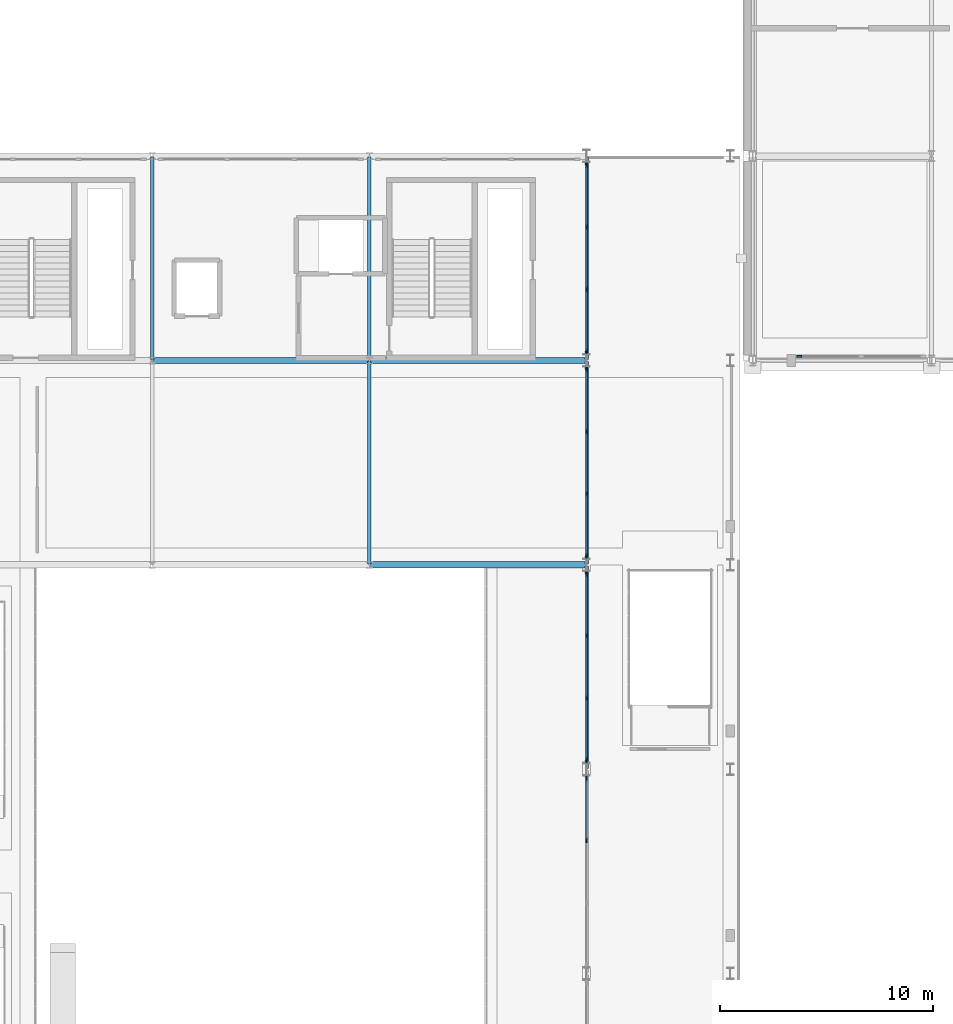
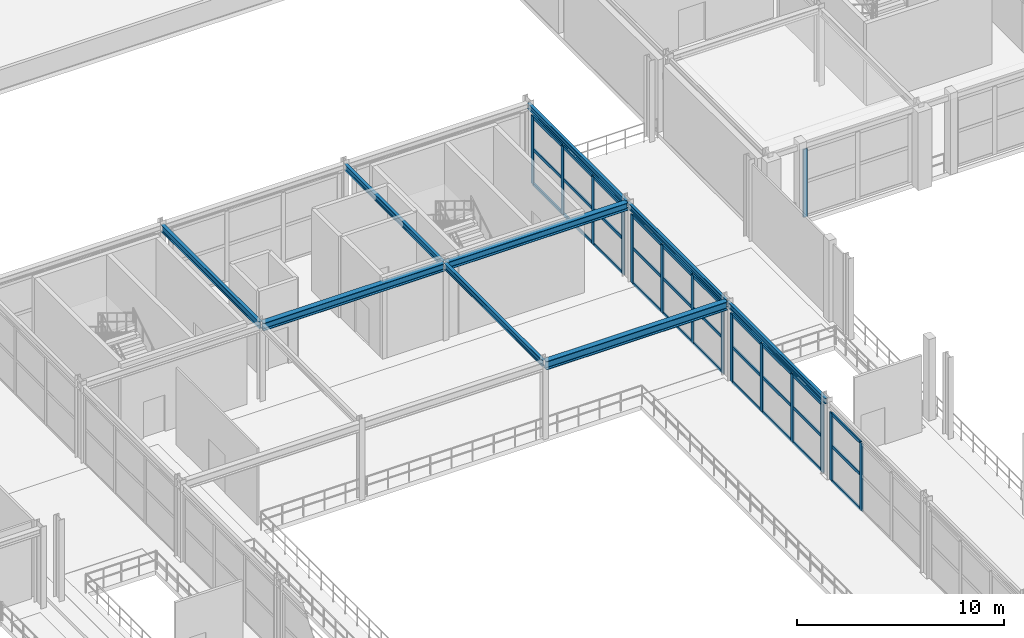
# One storey, part 49 of 125: 45 members, 9 beams, 5 elements without a shape of their own.
"""IFC4 building model written with IfcOpenShell, lengths in metres."""

from ifc_helpers import new_model, si_unit, direction, frame, origin, origin_2d, place, context, subcontext, project, spatial, rectangle, i_section, extrude, material, layer, layer_set, material_profile, profile_set, type_object, element, aggregate, save


model = new_model("IFC4")

# Units and contexts
model_context = context("Model", 3, precision=1e-05, world=origin(), true_north=direction((0.0, 1.0)))
body_context = subcontext(model_context, "Body", "Model", "MODEL_VIEW")
ifc_project = project(units=[si_unit("LENGTHUNIT", "METRE"), si_unit("AREAUNIT", "SQUARE_METRE"), si_unit("VOLUMEUNIT", "CUBIC_METRE"), si_unit("PLANEANGLEUNIT", "RADIAN"), si_unit("MASSUNIT", "GRAM", prefix="KILO")], contexts=[model_context])

# Site, building, storey
site_placement = place(None, origin())
site = spatial("IfcSite", under=ifc_project, at=site_placement, CompositionType="ELEMENT")
building_placement = place(site_placement, origin())
building = spatial("IfcBuilding", under=site, at=building_placement, Name="Myrtia Square Station", CompositionType="ELEMENT")
storey_placement = place(building_placement, frame((0.0, 0.0, 6.0)))
storey = spatial("IfcBuildingStorey", under=building, at=storey_placement, Name="L01", CompositionType="ELEMENT", Elevation=6.0)

# Beams
ifc_material_1 = material(Name="Steel S355", Category="steel")
ifc_material_profile_1 = material_profile(ifc_material_1, i_section(OverallWidth=0.300048828125, OverallDepth=0.449951171875, WebThickness=0.013916015625, FlangeThickness=0.02587890625, FilletRadius=0.027099609375, at=origin_2d()), Name="HEB 450")
ifc_profile_set_1 = profile_set([ifc_material_profile_1], Name="Steel S355")
beam_type_1 = type_object("IfcBeamType", Name="BM-HEB450", PredefinedType="BEAM", material=ifc_profile_set_1)
for number, where, z_axis, x_axis, name in (
    (1, (89.449951171875, 86.39990234375, 4.324951171875), (1.0, 0.0, 0.0), (0.0, 1.0, 0.0), "Structural girder BMX-L01-0547"),
    (2, (99.64990234375, 86.39990234375, 4.324951171875), (1.0, 0.0, 0.0), (0.0, 1.0, 0.0), "Structural girder BMX-L01-0548"),
):
    element("IfcBeam", number, at=place(storey_placement, frame(where, z_axis=z_axis, x_axis=x_axis)), inside=storey, type_object=beam_type_1, Name=name, PredefinedType="BEAM", context=body_context, shape_type="SweptSolid", body=[
        extrude(i_section(OverallWidth=0.300048828125, OverallDepth=0.449951171875, WebThickness=0.013916015625, FlangeThickness=0.02587890625, FilletRadius=0.027099609375, at=origin_2d()), origin(), (0.0, 0.0, 1.0), 10.10009765625),
    ])
ifc_material_profile_2 = material_profile(ifc_material_1, i_section(OverallWidth=0.300048828125, OverallDepth=0.5, WebThickness=0.014404296875, FlangeThickness=0.028076171875, FilletRadius=0.027099609375, at=origin_2d()), Name="HEB 500")
ifc_profile_set_2 = profile_set([ifc_material_profile_2], Name="Steel S355")
beam_type_2 = type_object("IfcBeamType", Name="BM-HEB500", PredefinedType="BEAM", material=ifc_profile_set_2)
beam_1_placement = place(storey_placement, frame((99.64990234375, 76.800048828125, 4.300048828125), z_axis=(1.0, 0.0, 0.0), x_axis=(0.0, 1.0, 0.0)))
element("IfcBeam", 3, at=beam_1_placement, inside=storey, type_object=beam_type_2, Name="Structural girder BMX-L01-0545", PredefinedType="BEAM", context=body_context, shape_type="SweptSolid", body=[
    extrude(i_section(OverallWidth=0.300048828125, OverallDepth=0.5, WebThickness=0.014404296875, FlangeThickness=0.028076171875, FilletRadius=0.027099609375, at=origin_2d()), origin(), (0.0, 0.0, 1.0), 10.10009765625),
])
ifc_material_profile_3 = material_profile(ifc_material_1, i_section(OverallWidth=0.159912109375, OverallDepth=0.330078125, WebThickness=0.007568359375, FlangeThickness=0.011474609375, FilletRadius=0.01806640625, at=origin_2d()), Name="IPE 330")
ifc_profile_set_3 = profile_set([ifc_material_profile_3], Name="Steel S355")
beam_type_3 = type_object("IfcBeamType", Name="BM-IPE330", PredefinedType="BEAM", material=ifc_profile_set_3)
for number, where, z_axis, x_axis, name in (
    (4, (109.800048828125, 67.25, 4.385009765625), (0.0, 1.0, 0.0), (-1.0, 0.0, 0.0), "Structural girder BMY-L01-0571"),
    (5, (109.800048828125, 76.85009765625, 4.385009765625), (0.0, 1.0, 0.0), (-1.0, 0.0, 0.0), "Structural girder BMY-L01-0572"),
    (6, (109.800048828125, 86.449951171875, 4.385009765625), (0.0, 1.0, 0.0), (-1.0, 0.0, 0.0), "Structural girder BMY-L01-0573"),
):
    element("IfcBeam", number, at=place(storey_placement, frame(where, z_axis=z_axis, x_axis=x_axis)), inside=storey, type_object=beam_type_3, Name=name, PredefinedType="BEAM", context=body_context, shape_type="SweptSolid", body=[
        extrude(i_section(OverallWidth=0.159912109375, OverallDepth=0.330078125, WebThickness=0.007568359375, FlangeThickness=0.011474609375, FilletRadius=0.01806640625, at=origin_2d()), origin(), (0.0, 0.0, 1.0), 9.5),
    ])
ifc_material_profile_4 = material_profile(ifc_material_1, i_section(OverallWidth=0.169921875, OverallDepth=0.360107421875, WebThickness=0.008056640625, FlangeThickness=0.0126953125, FilletRadius=0.01806640625, at=origin_2d()), Name="IPE 360")
ifc_profile_set_4 = profile_set([ifc_material_profile_4], Name="Steel S355")
beam_type_4 = type_object("IfcBeamType", Name="BM-IPE360", PredefinedType="BEAM", material=ifc_profile_set_4)
for number, where, z_axis, x_axis, name in (
    (7, (99.60009765625, 76.85009765625, 4.3701171875), (0.0, 1.0, 0.0), (-1.0, 0.0, 0.0), "Structural girder BMY-L01-0565"),
    (8, (99.60009765625, 86.449951171875, 4.3701171875), (0.0, 1.0, 0.0), (-1.0, 0.0, 0.0), "Structural girder BMY-L01-0566"),
):
    element("IfcBeam", number, at=place(storey_placement, frame(where, z_axis=z_axis, x_axis=x_axis)), inside=storey, type_object=beam_type_4, Name=name, PredefinedType="BEAM", context=body_context, shape_type="SweptSolid", body=[
        extrude(i_section(OverallWidth=0.169921875, OverallDepth=0.360107421875, WebThickness=0.008056640625, FlangeThickness=0.0126953125, FilletRadius=0.01806640625, at=origin_2d()), origin(), (0.0, 0.0, 1.0), 9.5),
    ])
ifc_material_profile_5 = material_profile(ifc_material_1, i_section(OverallWidth=0.179931640625, OverallDepth=0.39990234375, WebThickness=0.008544921875, FlangeThickness=0.013427734375, FilletRadius=0.02099609375, at=origin_2d()), Name="IPE 400")
ifc_profile_set_5 = profile_set([ifc_material_profile_5], Name="Steel S355")
beam_type_5 = type_object("IfcBeamType", Name="BM-IPE400", PredefinedType="BEAM", material=ifc_profile_set_5)
beam_2_placement = place(storey_placement, frame((89.39990234375, 86.449951171875, 4.35009765625), z_axis=(0.0, 1.0, 0.0), x_axis=(-1.0, 0.0, 0.0)))
element("IfcBeam", 9, at=beam_2_placement, inside=storey, type_object=beam_type_5, Name="Structural girder BMY-L01-0562", PredefinedType="BEAM", context=body_context, shape_type="SweptSolid", body=[
    extrude(i_section(OverallWidth=0.179931640625, OverallDepth=0.39990234375, WebThickness=0.008544921875, FlangeThickness=0.013427734375, FilletRadius=0.02099609375, at=origin_2d()), origin(), (0.0, 0.0, 1.0), 9.5),
])

# Curtain wall, members
ifc_material_2 = material(Name="Dark bronze anodised aluminium", Category="aluminium")
ifc_layer_1 = layer(ifc_material_2, 0.159912109375, Name="Dark bronze anodised aluminium")
ifc_layer_set_1 = layer_set([ifc_layer_1], Name="Dark bronze anodised aluminium")
curtain_wall_type_1 = type_object("IfcCurtainWallType", Name="CW-TYPE-04-880x400", PredefinedType="USERDEFINED", material=ifc_layer_set_1)
curtain_wall_1_placement = place(storey_placement, origin())
curtain_wall_1 = element("IfcCurtainWall", 10, at=curtain_wall_1_placement, inside=storey, type_object=curtain_wall_type_1, Name="Concourse curtain wall CW-L01-012", ObjectType="CONCOURSE CURTAIN WALL", PredefinedType="USERDEFINED")
ifc_material_profile_6 = material_profile(ifc_material_2, rectangle(XDim=0.074951171875, YDim=0.239990234375, at=origin_2d()), Name="ALU-M 75x240")
ifc_profile_set_6 = profile_set([ifc_material_profile_6], Name="Dark bronze anodised aluminium")
member_type_1 = type_object("IfcMemberType", Name="CWM-75x240", PredefinedType="MULLION", material=ifc_profile_set_6)
member_1_placement = place(storey_placement, frame((109.800048828125, 63.86669921875, 0.0), z_axis=(0.0, 0.0, 1.0), x_axis=(-1.0, 0.0, 0.0)))
member_1 = element("IfcMember", 11, at=member_1_placement, type_object=member_type_1, Name="CW-012 mullion 3", PredefinedType="MULLION", context=body_context, shape_type="SweptSolid", body=[
    extrude(rectangle(XDim=0.074951171875, YDim=0.239990234375, at=origin_2d()), origin(), (0.0, 0.0, 1.0), 4.0),
])
member_2_placement = place(storey_placement, frame((109.800048828125, 66.762451171875, 0.0), z_axis=(0.0, 0.0, 1.0), x_axis=(-1.0, 0.0, 0.0)))
member_2 = element("IfcMember", 12, at=member_2_placement, type_object=member_type_1, Name="CW-012 mullion 4", PredefinedType="MULLION", context=body_context, shape_type="SweptSolid", body=[
    extrude(rectangle(XDim=0.074951171875, YDim=0.239990234375, at=origin_2d()), origin(), (0.0, 0.0, 1.0), 4.0),
])

curtain_wall_2_placement = place(storey_placement, origin())
curtain_wall_2 = element("IfcCurtainWall", 13, at=curtain_wall_2_placement, inside=storey, type_object=curtain_wall_type_1, Name="Concourse curtain wall CW-L01-014", ObjectType="CONCOURSE CURTAIN WALL", PredefinedType="USERDEFINED")
member_3_placement = place(storey_placement, frame((109.800048828125, 67.637451171875, 0.0), z_axis=(0.0, 0.0, 1.0), x_axis=(-1.0, 0.0, 0.0)))
member_3 = element("IfcMember", 14, at=member_3_placement, type_object=member_type_1, Name="CW-014 mullion 1", PredefinedType="MULLION", context=body_context, shape_type="SweptSolid", body=[
    extrude(rectangle(XDim=0.074951171875, YDim=0.239990234375, at=origin_2d()), origin(), (0.0, 0.0, 1.0), 4.0),
])
member_4_placement = place(storey_placement, frame((109.800048828125, 70.533447265625, 0.0), z_axis=(0.0, 0.0, 1.0), x_axis=(-1.0, 0.0, 0.0)))
member_4 = element("IfcMember", 15, at=member_4_placement, type_object=member_type_1, Name="CW-014 mullion 2", PredefinedType="MULLION", context=body_context, shape_type="SweptSolid", body=[
    extrude(rectangle(XDim=0.074951171875, YDim=0.239990234375, at=origin_2d()), origin(), (0.0, 0.0, 1.0), 4.0),
])
member_5_placement = place(storey_placement, frame((109.800048828125, 73.466552734375, 0.0), z_axis=(0.0, 0.0, 1.0), x_axis=(-1.0, 0.0, 0.0)))
member_5 = element("IfcMember", 16, at=member_5_placement, type_object=member_type_1, Name="CW-014 mullion 3", PredefinedType="MULLION", context=body_context, shape_type="SweptSolid", body=[
    extrude(rectangle(XDim=0.074951171875, YDim=0.239990234375, at=origin_2d()), origin(), (0.0, 0.0, 1.0), 4.0),
])
member_6_placement = place(storey_placement, frame((109.800048828125, 76.362548828125, 0.0), z_axis=(0.0, 0.0, 1.0), x_axis=(-1.0, 0.0, 0.0)))
member_6 = element("IfcMember", 17, at=member_6_placement, type_object=member_type_1, Name="CW-014 mullion 4", PredefinedType="MULLION", context=body_context, shape_type="SweptSolid", body=[
    extrude(rectangle(XDim=0.074951171875, YDim=0.239990234375, at=origin_2d()), origin(), (0.0, 0.0, 1.0), 4.0),
])

curtain_wall_3_placement = place(storey_placement, origin())
curtain_wall_3 = element("IfcCurtainWall", 18, at=curtain_wall_3_placement, inside=storey, type_object=curtain_wall_type_1, Name="Concourse curtain wall CW-L01-016", ObjectType="CONCOURSE CURTAIN WALL", PredefinedType="USERDEFINED")
member_7_placement = place(storey_placement, frame((109.800048828125, 77.237548828125, 0.0), z_axis=(0.0, 0.0, 1.0), x_axis=(-1.0, 0.0, 0.0)))
member_7 = element("IfcMember", 19, at=member_7_placement, type_object=member_type_1, Name="CW-016 mullion 1", PredefinedType="MULLION", context=body_context, shape_type="SweptSolid", body=[
    extrude(rectangle(XDim=0.074951171875, YDim=0.239990234375, at=origin_2d()), origin(), (0.0, 0.0, 1.0), 4.0),
])
member_8_placement = place(storey_placement, frame((109.800048828125, 80.13330078125, 0.0), z_axis=(0.0, 0.0, 1.0), x_axis=(-1.0, 0.0, 0.0)))
member_8 = element("IfcMember", 20, at=member_8_placement, type_object=member_type_1, Name="CW-016 mullion 2", PredefinedType="MULLION", context=body_context, shape_type="SweptSolid", body=[
    extrude(rectangle(XDim=0.074951171875, YDim=0.239990234375, at=origin_2d()), origin(), (0.0, 0.0, 1.0), 4.0),
])
member_9_placement = place(storey_placement, frame((109.800048828125, 83.066650390625, 0.0), z_axis=(0.0, 0.0, 1.0), x_axis=(-1.0, 0.0, 0.0)))
member_9 = element("IfcMember", 21, at=member_9_placement, type_object=member_type_1, Name="CW-016 mullion 3", PredefinedType="MULLION", context=body_context, shape_type="SweptSolid", body=[
    extrude(rectangle(XDim=0.074951171875, YDim=0.239990234375, at=origin_2d()), origin(), (0.0, 0.0, 1.0), 4.0),
])
member_10_placement = place(storey_placement, frame((109.800048828125, 85.96240234375, 0.0), z_axis=(0.0, 0.0, 1.0), x_axis=(-1.0, 0.0, 0.0)))
member_10 = element("IfcMember", 22, at=member_10_placement, type_object=member_type_1, Name="CW-016 mullion 4", PredefinedType="MULLION", context=body_context, shape_type="SweptSolid", body=[
    extrude(rectangle(XDim=0.074951171875, YDim=0.239990234375, at=origin_2d()), origin(), (0.0, 0.0, 1.0), 4.0),
])

curtain_wall_4_placement = place(storey_placement, origin())
curtain_wall_4 = element("IfcCurtainWall", 23, at=curtain_wall_4_placement, inside=storey, type_object=curtain_wall_type_1, Name="Concourse curtain wall CW-L01-018", ObjectType="CONCOURSE CURTAIN WALL", PredefinedType="USERDEFINED")
member_11_placement = place(storey_placement, frame((109.800048828125, 86.83740234375, 0.0), z_axis=(0.0, 0.0, 1.0), x_axis=(-1.0, 0.0, 0.0)))
member_11 = element("IfcMember", 24, at=member_11_placement, type_object=member_type_1, Name="CW-018 mullion 1", PredefinedType="MULLION", context=body_context, shape_type="SweptSolid", body=[
    extrude(rectangle(XDim=0.074951171875, YDim=0.239990234375, at=origin_2d()), origin(), (0.0, 0.0, 1.0), 4.0),
])
member_12_placement = place(storey_placement, frame((109.800048828125, 89.7333984375, 0.0), z_axis=(0.0, 0.0, 1.0), x_axis=(-1.0, 0.0, 0.0)))
member_12 = element("IfcMember", 25, at=member_12_placement, type_object=member_type_1, Name="CW-018 mullion 2", PredefinedType="MULLION", context=body_context, shape_type="SweptSolid", body=[
    extrude(rectangle(XDim=0.074951171875, YDim=0.239990234375, at=origin_2d()), origin(), (0.0, 0.0, 1.0), 4.0),
])
member_13_placement = place(storey_placement, frame((109.800048828125, 92.666748046875, 0.0), z_axis=(0.0, 0.0, 1.0), x_axis=(-1.0, 0.0, 0.0)))
member_13 = element("IfcMember", 26, at=member_13_placement, type_object=member_type_1, Name="CW-018 mullion 3", PredefinedType="MULLION", context=body_context, shape_type="SweptSolid", body=[
    extrude(rectangle(XDim=0.074951171875, YDim=0.239990234375, at=origin_2d()), origin(), (0.0, 0.0, 1.0), 4.0),
])
member_14_placement = place(storey_placement, frame((109.800048828125, 95.5625, 0.0), z_axis=(0.0, 0.0, 1.0), x_axis=(-1.0, 0.0, 0.0)))
member_14 = element("IfcMember", 27, at=member_14_placement, type_object=member_type_1, Name="CW-018 mullion 4", PredefinedType="MULLION", context=body_context, shape_type="SweptSolid", body=[
    extrude(rectangle(XDim=0.074951171875, YDim=0.239990234375, at=origin_2d()), origin(), (0.0, 0.0, 1.0), 4.0),
])

# Curtain wall, member
ifc_layer_2 = layer(ifc_material_2, 0.159912109375, Name="Dark bronze anodised aluminium")
ifc_layer_set_2 = layer_set([ifc_layer_2], Name="Dark bronze anodised aluminium")
curtain_wall_type_2 = type_object("IfcCurtainWallType", Name="CW-TYPE-37-590x400", PredefinedType="USERDEFINED", material=ifc_layer_set_2)
curtain_wall_5_placement = place(storey_placement, origin())
curtain_wall_5 = element("IfcCurtainWall", 28, at=curtain_wall_5_placement, inside=storey, type_object=curtain_wall_type_2, Name="Concourse curtain wall CW-L01-116", ObjectType="CONCOURSE CURTAIN WALL", PredefinedType="USERDEFINED")
member_15_placement = place(storey_placement, frame((119.78759765625, 86.60009765625, 0.0), z_axis=(0.0, 0.0, 1.0), x_axis=(0.0, 1.0, 0.0)))
member_15 = element("IfcMember", 29, at=member_15_placement, type_object=member_type_1, Name="CW-116 mullion 1", PredefinedType="MULLION", context=body_context, shape_type="SweptSolid", body=[
    extrude(rectangle(XDim=0.074951171875, YDim=0.239990234375, at=origin_2d()), origin(), (0.0, 0.0, 1.0), 4.0),
])
aggregate(curtain_wall_5, [member_15])

# Member
ifc_material_profile_7 = material_profile(ifc_material_2, rectangle(XDim=0.074951171875, YDim=0.179931640625, at=origin_2d()), Name="ALU-T 75x180")
ifc_profile_set_7 = profile_set([ifc_material_profile_7], Name="Dark bronze anodised aluminium")
member_type_2 = type_object("IfcMemberType", Name="CWT-75x180", PredefinedType="USERDEFINED", material=ifc_profile_set_7)
member_16_placement = place(storey_placement, frame((109.800048828125, 63.904052734375, 0.03759765625), z_axis=(0.0, 1.0, 0.0), x_axis=(-1.0, 0.0, 0.0)))
member_16 = element("IfcMember", 30, at=member_16_placement, type_object=member_type_2, Name="CW-012 transom 3.1", ObjectType="TRANSOM", PredefinedType="USERDEFINED", context=body_context, shape_type="SweptSolid", body=[
    extrude(rectangle(XDim=0.074951171875, YDim=0.179931640625, at=origin_2d()), origin(), (0.0, 0.0, 1.0), 2.821044921875),
])

member_17_placement = place(storey_placement, frame((109.800048828125, 63.904052734375, 2.080078125), z_axis=(0.0, 1.0, 0.0), x_axis=(-1.0, 0.0, 0.0)))
member_17 = element("IfcMember", 31, at=member_17_placement, type_object=member_type_2, Name="CW-012 transom 3.2", ObjectType="TRANSOM", PredefinedType="USERDEFINED", context=body_context, shape_type="SweptSolid", body=[
    extrude(rectangle(XDim=0.074951171875, YDim=0.179931640625, at=origin_2d()), origin(), (0.0, 0.0, 1.0), 2.821044921875),
])

member_18_placement = place(storey_placement, frame((109.800048828125, 63.904052734375, 3.96240234375), z_axis=(0.0, 1.0, 0.0), x_axis=(-1.0, 0.0, 0.0)))
member_18 = element("IfcMember", 32, at=member_18_placement, type_object=member_type_2, Name="CW-012 transom 3.3", ObjectType="TRANSOM", PredefinedType="USERDEFINED", context=body_context, shape_type="SweptSolid", body=[
    extrude(rectangle(XDim=0.074951171875, YDim=0.179931640625, at=origin_2d()), origin(), (0.0, 0.0, 1.0), 2.821044921875),
])

aggregate(curtain_wall_1, [member_1, member_2, member_16, member_17, member_18])

member_19_placement = place(storey_placement, frame((109.800048828125, 67.675048828125, 0.03759765625), z_axis=(0.0, 1.0, 0.0), x_axis=(-1.0, 0.0, 0.0)))
member_19 = element("IfcMember", 33, at=member_19_placement, type_object=member_type_2, Name="CW-014 transom 1.1", ObjectType="TRANSOM", PredefinedType="USERDEFINED", context=body_context, shape_type="SweptSolid", body=[
    extrude(rectangle(XDim=0.074951171875, YDim=0.179931640625, at=origin_2d()), origin(), (0.0, 0.0, 1.0), 2.82080078125),
])

member_20_placement = place(storey_placement, frame((109.800048828125, 67.675048828125, 2.080078125), z_axis=(0.0, 1.0, 0.0), x_axis=(-1.0, 0.0, 0.0)))
member_20 = element("IfcMember", 34, at=member_20_placement, type_object=member_type_2, Name="CW-014 transom 1.2", ObjectType="TRANSOM", PredefinedType="USERDEFINED", context=body_context, shape_type="SweptSolid", body=[
    extrude(rectangle(XDim=0.074951171875, YDim=0.179931640625, at=origin_2d()), origin(), (0.0, 0.0, 1.0), 2.82080078125),
])

member_21_placement = place(storey_placement, frame((109.800048828125, 67.675048828125, 3.96240234375), z_axis=(0.0, 1.0, 0.0), x_axis=(-1.0, 0.0, 0.0)))
member_21 = element("IfcMember", 35, at=member_21_placement, type_object=member_type_2, Name="CW-014 transom 1.3", ObjectType="TRANSOM", PredefinedType="USERDEFINED", context=body_context, shape_type="SweptSolid", body=[
    extrude(rectangle(XDim=0.074951171875, YDim=0.179931640625, at=origin_2d()), origin(), (0.0, 0.0, 1.0), 2.82080078125),
])

member_22_placement = place(storey_placement, frame((109.800048828125, 70.57080078125, 0.03759765625), z_axis=(0.0, 1.0, 0.0), x_axis=(-1.0, 0.0, 0.0)))
member_22 = element("IfcMember", 36, at=member_22_placement, type_object=member_type_2, Name="CW-014 transom 2.1", ObjectType="TRANSOM", PredefinedType="USERDEFINED", context=body_context, shape_type="SweptSolid", body=[
    extrude(rectangle(XDim=0.074951171875, YDim=0.179931640625, at=origin_2d()), origin(), (0.0, 0.0, 1.0), 2.8583984375),
])

member_23_placement = place(storey_placement, frame((109.800048828125, 70.57080078125, 2.080078125), z_axis=(0.0, 1.0, 0.0), x_axis=(-1.0, 0.0, 0.0)))
member_23 = element("IfcMember", 37, at=member_23_placement, type_object=member_type_2, Name="CW-014 transom 2.2", ObjectType="TRANSOM", PredefinedType="USERDEFINED", context=body_context, shape_type="SweptSolid", body=[
    extrude(rectangle(XDim=0.074951171875, YDim=0.179931640625, at=origin_2d()), origin(), (0.0, 0.0, 1.0), 2.8583984375),
])

member_24_placement = place(storey_placement, frame((109.800048828125, 70.57080078125, 3.96240234375), z_axis=(0.0, 1.0, 0.0), x_axis=(-1.0, 0.0, 0.0)))
member_24 = element("IfcMember", 38, at=member_24_placement, type_object=member_type_2, Name="CW-014 transom 2.3", ObjectType="TRANSOM", PredefinedType="USERDEFINED", context=body_context, shape_type="SweptSolid", body=[
    extrude(rectangle(XDim=0.074951171875, YDim=0.179931640625, at=origin_2d()), origin(), (0.0, 0.0, 1.0), 2.8583984375),
])

member_25_placement = place(storey_placement, frame((109.800048828125, 73.504150390625, 0.03759765625), z_axis=(0.0, 1.0, 0.0), x_axis=(-1.0, 0.0, 0.0)))
member_25 = element("IfcMember", 39, at=member_25_placement, type_object=member_type_2, Name="CW-014 transom 3.1", ObjectType="TRANSOM", PredefinedType="USERDEFINED", context=body_context, shape_type="SweptSolid", body=[
    extrude(rectangle(XDim=0.074951171875, YDim=0.179931640625, at=origin_2d()), origin(), (0.0, 0.0, 1.0), 2.82080078125),
])

member_26_placement = place(storey_placement, frame((109.800048828125, 73.504150390625, 2.080078125), z_axis=(0.0, 1.0, 0.0), x_axis=(-1.0, 0.0, 0.0)))
member_26 = element("IfcMember", 40, at=member_26_placement, type_object=member_type_2, Name="CW-014 transom 3.2", ObjectType="TRANSOM", PredefinedType="USERDEFINED", context=body_context, shape_type="SweptSolid", body=[
    extrude(rectangle(XDim=0.074951171875, YDim=0.179931640625, at=origin_2d()), origin(), (0.0, 0.0, 1.0), 2.82080078125),
])

member_27_placement = place(storey_placement, frame((109.800048828125, 73.504150390625, 3.96240234375), z_axis=(0.0, 1.0, 0.0), x_axis=(-1.0, 0.0, 0.0)))
member_27 = element("IfcMember", 41, at=member_27_placement, type_object=member_type_2, Name="CW-014 transom 3.3", ObjectType="TRANSOM", PredefinedType="USERDEFINED", context=body_context, shape_type="SweptSolid", body=[
    extrude(rectangle(XDim=0.074951171875, YDim=0.179931640625, at=origin_2d()), origin(), (0.0, 0.0, 1.0), 2.82080078125),
])

aggregate(curtain_wall_2, [member_3, member_4, member_5, member_6, member_19, member_20, member_21, member_22, member_23, member_24, member_25, member_26, member_27])

member_28_placement = place(storey_placement, frame((109.800048828125, 77.27490234375, 0.03759765625), z_axis=(0.0, 1.0, 0.0), x_axis=(-1.0, 0.0, 0.0)))
member_28 = element("IfcMember", 42, at=member_28_placement, type_object=member_type_2, Name="CW-016 transom 1.1", ObjectType="TRANSOM", PredefinedType="USERDEFINED", context=body_context, shape_type="SweptSolid", body=[
    extrude(rectangle(XDim=0.074951171875, YDim=0.179931640625, at=origin_2d()), origin(), (0.0, 0.0, 1.0), 2.821044921875),
])

member_29_placement = place(storey_placement, frame((109.800048828125, 77.27490234375, 2.080078125), z_axis=(0.0, 1.0, 0.0), x_axis=(-1.0, 0.0, 0.0)))
member_29 = element("IfcMember", 43, at=member_29_placement, type_object=member_type_2, Name="CW-016 transom 1.2", ObjectType="TRANSOM", PredefinedType="USERDEFINED", context=body_context, shape_type="SweptSolid", body=[
    extrude(rectangle(XDim=0.074951171875, YDim=0.179931640625, at=origin_2d()), origin(), (0.0, 0.0, 1.0), 2.821044921875),
])

member_30_placement = place(storey_placement, frame((109.800048828125, 77.27490234375, 3.96240234375), z_axis=(0.0, 1.0, 0.0), x_axis=(-1.0, 0.0, 0.0)))
member_30 = element("IfcMember", 44, at=member_30_placement, type_object=member_type_2, Name="CW-016 transom 1.3", ObjectType="TRANSOM", PredefinedType="USERDEFINED", context=body_context, shape_type="SweptSolid", body=[
    extrude(rectangle(XDim=0.074951171875, YDim=0.179931640625, at=origin_2d()), origin(), (0.0, 0.0, 1.0), 2.821044921875),
])

member_31_placement = place(storey_placement, frame((109.800048828125, 80.1708984375, 0.03759765625), z_axis=(0.0, 1.0, 0.0), x_axis=(-1.0, 0.0, 0.0)))
member_31 = element("IfcMember", 45, at=member_31_placement, type_object=member_type_2, Name="CW-016 transom 2.1", ObjectType="TRANSOM", PredefinedType="USERDEFINED", context=body_context, shape_type="SweptSolid", body=[
    extrude(rectangle(XDim=0.074951171875, YDim=0.179931640625, at=origin_2d()), origin(), (0.0, 0.0, 1.0), 2.858154296875),
])

member_32_placement = place(storey_placement, frame((109.800048828125, 80.1708984375, 2.080078125), z_axis=(0.0, 1.0, 0.0), x_axis=(-1.0, 0.0, 0.0)))
member_32 = element("IfcMember", 46, at=member_32_placement, type_object=member_type_2, Name="CW-016 transom 2.2", ObjectType="TRANSOM", PredefinedType="USERDEFINED", context=body_context, shape_type="SweptSolid", body=[
    extrude(rectangle(XDim=0.074951171875, YDim=0.179931640625, at=origin_2d()), origin(), (0.0, 0.0, 1.0), 2.858154296875),
])

member_33_placement = place(storey_placement, frame((109.800048828125, 80.1708984375, 3.96240234375), z_axis=(0.0, 1.0, 0.0), x_axis=(-1.0, 0.0, 0.0)))
member_33 = element("IfcMember", 47, at=member_33_placement, type_object=member_type_2, Name="CW-016 transom 2.3", ObjectType="TRANSOM", PredefinedType="USERDEFINED", context=body_context, shape_type="SweptSolid", body=[
    extrude(rectangle(XDim=0.074951171875, YDim=0.179931640625, at=origin_2d()), origin(), (0.0, 0.0, 1.0), 2.858154296875),
])

member_34_placement = place(storey_placement, frame((109.800048828125, 83.104248046875, 0.03759765625), z_axis=(0.0, 1.0, 0.0), x_axis=(-1.0, 0.0, 0.0)))
member_34 = element("IfcMember", 48, at=member_34_placement, type_object=member_type_2, Name="CW-016 transom 3.1", ObjectType="TRANSOM", PredefinedType="USERDEFINED", context=body_context, shape_type="SweptSolid", body=[
    extrude(rectangle(XDim=0.074951171875, YDim=0.179931640625, at=origin_2d()), origin(), (0.0, 0.0, 1.0), 2.82080078125),
])

member_35_placement = place(storey_placement, frame((109.800048828125, 83.104248046875, 2.080078125), z_axis=(0.0, 1.0, 0.0), x_axis=(-1.0, 0.0, 0.0)))
member_35 = element("IfcMember", 49, at=member_35_placement, type_object=member_type_2, Name="CW-016 transom 3.2", ObjectType="TRANSOM", PredefinedType="USERDEFINED", context=body_context, shape_type="SweptSolid", body=[
    extrude(rectangle(XDim=0.074951171875, YDim=0.179931640625, at=origin_2d()), origin(), (0.0, 0.0, 1.0), 2.82080078125),
])

member_36_placement = place(storey_placement, frame((109.800048828125, 83.104248046875, 3.96240234375), z_axis=(0.0, 1.0, 0.0), x_axis=(-1.0, 0.0, 0.0)))
member_36 = element("IfcMember", 50, at=member_36_placement, type_object=member_type_2, Name="CW-016 transom 3.3", ObjectType="TRANSOM", PredefinedType="USERDEFINED", context=body_context, shape_type="SweptSolid", body=[
    extrude(rectangle(XDim=0.074951171875, YDim=0.179931640625, at=origin_2d()), origin(), (0.0, 0.0, 1.0), 2.82080078125),
])

aggregate(curtain_wall_3, [member_7, member_8, member_9, member_10, member_28, member_29, member_30, member_31, member_32, member_33, member_34, member_35, member_36])

member_37_placement = place(storey_placement, frame((109.800048828125, 86.875, 0.03759765625), z_axis=(0.0, 1.0, 0.0), x_axis=(-1.0, 0.0, 0.0)))
member_37 = element("IfcMember", 51, at=member_37_placement, type_object=member_type_2, Name="CW-018 transom 1.1", ObjectType="TRANSOM", PredefinedType="USERDEFINED", context=body_context, shape_type="SweptSolid", body=[
    extrude(rectangle(XDim=0.074951171875, YDim=0.179931640625, at=origin_2d()), origin(), (0.0, 0.0, 1.0), 2.82080078125),
])

member_38_placement = place(storey_placement, frame((109.800048828125, 86.875, 2.080078125), z_axis=(0.0, 1.0, 0.0), x_axis=(-1.0, 0.0, 0.0)))
member_38 = element("IfcMember", 52, at=member_38_placement, type_object=member_type_2, Name="CW-018 transom 1.2", ObjectType="TRANSOM", PredefinedType="USERDEFINED", context=body_context, shape_type="SweptSolid", body=[
    extrude(rectangle(XDim=0.074951171875, YDim=0.179931640625, at=origin_2d()), origin(), (0.0, 0.0, 1.0), 2.82080078125),
])

member_39_placement = place(storey_placement, frame((109.800048828125, 86.875, 3.96240234375), z_axis=(0.0, 1.0, 0.0), x_axis=(-1.0, 0.0, 0.0)))
member_39 = element("IfcMember", 53, at=member_39_placement, type_object=member_type_2, Name="CW-018 transom 1.3", ObjectType="TRANSOM", PredefinedType="USERDEFINED", context=body_context, shape_type="SweptSolid", body=[
    extrude(rectangle(XDim=0.074951171875, YDim=0.179931640625, at=origin_2d()), origin(), (0.0, 0.0, 1.0), 2.82080078125),
])

member_40_placement = place(storey_placement, frame((109.800048828125, 89.770751953125, 0.03759765625), z_axis=(0.0, 1.0, 0.0), x_axis=(-1.0, 0.0, 0.0)))
member_40 = element("IfcMember", 54, at=member_40_placement, type_object=member_type_2, Name="CW-018 transom 2.1", ObjectType="TRANSOM", PredefinedType="USERDEFINED", context=body_context, shape_type="SweptSolid", body=[
    extrude(rectangle(XDim=0.074951171875, YDim=0.179931640625, at=origin_2d()), origin(), (0.0, 0.0, 1.0), 2.8583984375),
])

member_41_placement = place(storey_placement, frame((109.800048828125, 89.770751953125, 2.080078125), z_axis=(0.0, 1.0, 0.0), x_axis=(-1.0, 0.0, 0.0)))
member_41 = element("IfcMember", 55, at=member_41_placement, type_object=member_type_2, Name="CW-018 transom 2.2", ObjectType="TRANSOM", PredefinedType="USERDEFINED", context=body_context, shape_type="SweptSolid", body=[
    extrude(rectangle(XDim=0.074951171875, YDim=0.179931640625, at=origin_2d()), origin(), (0.0, 0.0, 1.0), 2.8583984375),
])

member_42_placement = place(storey_placement, frame((109.800048828125, 89.770751953125, 3.96240234375), z_axis=(0.0, 1.0, 0.0), x_axis=(-1.0, 0.0, 0.0)))
member_42 = element("IfcMember", 56, at=member_42_placement, type_object=member_type_2, Name="CW-018 transom 2.3", ObjectType="TRANSOM", PredefinedType="USERDEFINED", context=body_context, shape_type="SweptSolid", body=[
    extrude(rectangle(XDim=0.074951171875, YDim=0.179931640625, at=origin_2d()), origin(), (0.0, 0.0, 1.0), 2.8583984375),
])

member_43_placement = place(storey_placement, frame((109.800048828125, 92.7041015625, 0.03759765625), z_axis=(0.0, 1.0, 0.0), x_axis=(-1.0, 0.0, 0.0)))
member_43 = element("IfcMember", 57, at=member_43_placement, type_object=member_type_2, Name="CW-018 transom 3.1", ObjectType="TRANSOM", PredefinedType="USERDEFINED", context=body_context, shape_type="SweptSolid", body=[
    extrude(rectangle(XDim=0.074951171875, YDim=0.179931640625, at=origin_2d()), origin(), (0.0, 0.0, 1.0), 2.82080078125),
])

member_44_placement = place(storey_placement, frame((109.800048828125, 92.7041015625, 2.080078125), z_axis=(0.0, 1.0, 0.0), x_axis=(-1.0, 0.0, 0.0)))
member_44 = element("IfcMember", 58, at=member_44_placement, type_object=member_type_2, Name="CW-018 transom 3.2", ObjectType="TRANSOM", PredefinedType="USERDEFINED", context=body_context, shape_type="SweptSolid", body=[
    extrude(rectangle(XDim=0.074951171875, YDim=0.179931640625, at=origin_2d()), origin(), (0.0, 0.0, 1.0), 2.82080078125),
])

member_45_placement = place(storey_placement, frame((109.800048828125, 92.7041015625, 3.96240234375), z_axis=(0.0, 1.0, 0.0), x_axis=(-1.0, 0.0, 0.0)))
member_45 = element("IfcMember", 59, at=member_45_placement, type_object=member_type_2, Name="CW-018 transom 3.3", ObjectType="TRANSOM", PredefinedType="USERDEFINED", context=body_context, shape_type="SweptSolid", body=[
    extrude(rectangle(XDim=0.074951171875, YDim=0.179931640625, at=origin_2d()), origin(), (0.0, 0.0, 1.0), 2.82080078125),
])

aggregate(curtain_wall_4, [member_11, member_12, member_13, member_14, member_37, member_38, member_39, member_40, member_41, member_42, member_43, member_44, member_45])

save(model, "model.ifc")
